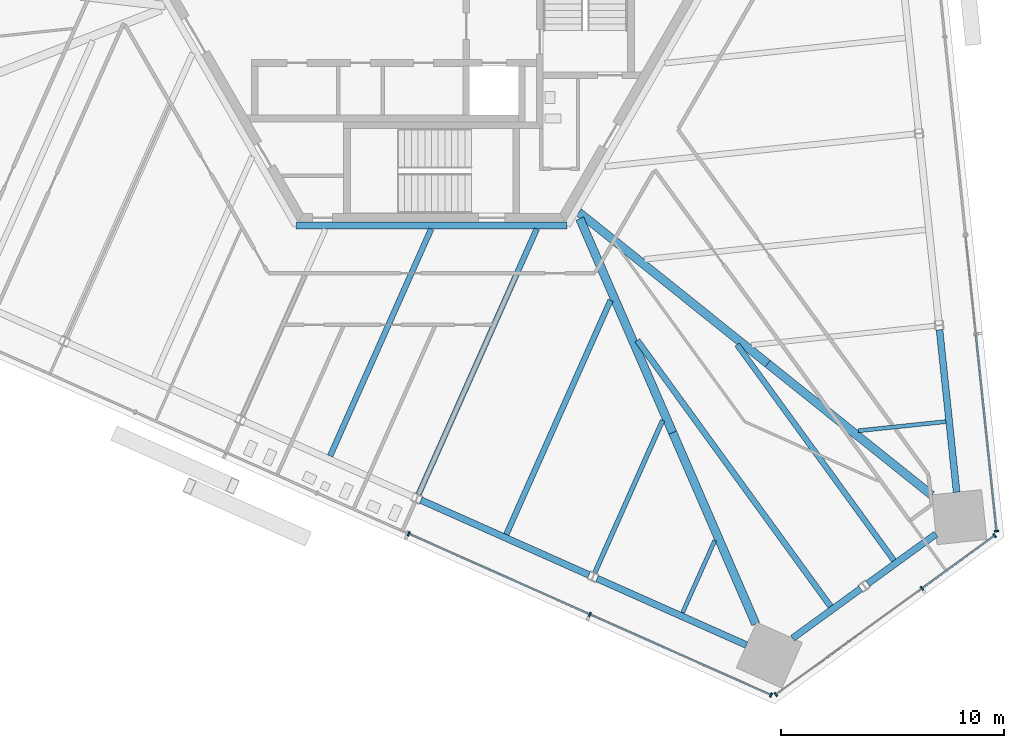
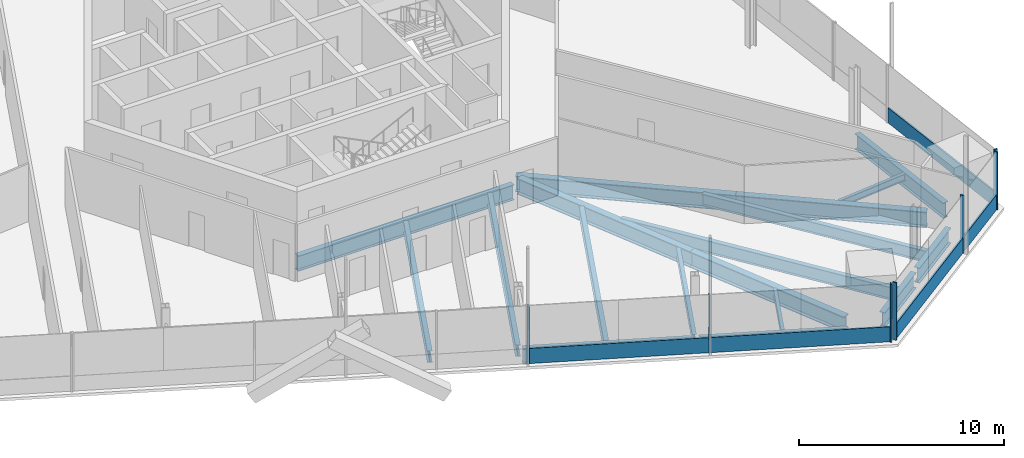
# One storey, part 5 of 21: 18 beams, 12 members, 3 elements without a shape of their own.
"""IFC4 building model written with IfcOpenShell, lengths in metres."""

from ifc_helpers import new_model, si_unit, direction, frame, origin, origin_2d, place, context, subcontext, project, spatial, rectangle, i_section, extrude, source, transform, mapped, material, material_profile, profile_set, type_object, element, aggregate, save


model = new_model("IFC4")

# Units and contexts
model_context = context("Model", 3, precision=1e-05, world=origin(), true_north=direction((0.0, 1.0)))
body_context = subcontext(model_context, "Body", "Model", "MODEL_VIEW")
ifc_project = project(units=[si_unit("LENGTHUNIT", "METRE"), si_unit("AREAUNIT", "SQUARE_METRE"), si_unit("VOLUMEUNIT", "CUBIC_METRE"), si_unit("PLANEANGLEUNIT", "RADIAN"), si_unit("MASSUNIT", "GRAM", prefix="KILO")], contexts=[model_context])

# Site, building, storey
site_placement = place(None, origin())
site = spatial("IfcSite", under=ifc_project, at=site_placement, CompositionType="ELEMENT")
building_placement = place(site_placement, origin())
building = spatial("IfcBuilding", under=site, at=building_placement, Name="Triune Harvest Tower", CompositionType="ELEMENT")
storey_placement = place(building_placement, frame((0.0, 0.0, 72.89990234375)))
storey = spatial("IfcBuildingStorey", under=building, at=storey_placement, Name="L17", CompositionType="ELEMENT", Elevation=72.89990234375)

# Beams
ifc_material_1 = material(Name="Steel ASTM A992 Gr 50", Category="steel")
ifc_material_profile_1 = material_profile(ifc_material_1, i_section(OverallWidth=0.3046875, OverallDepth=0.914306640625, WebThickness=0.0166015625, FlangeThickness=0.02587890625, at=origin_2d()), Name="W36x160")
ifc_profile_set_1 = profile_set([ifc_material_profile_1], Name="Steel ASTM A992 Gr 50")
beam_type_1 = type_object("IfcBeamType", Name="CG-1 Core ring girder W36x160", PredefinedType="BEAM", material=ifc_profile_set_1)
shared_shape_1 = source(origin(), body_context, "Body", "SweptSolid", [
    extrude(i_section(OverallWidth=0.3046875, OverallDepth=0.914306640625, WebThickness=0.0166015625, FlangeThickness=0.02587890625, at=origin_2d()), origin(), (0.0, 0.0, 1.0), 12.17578125),
])
beam_1_placement = place(storey_placement, frame((-6.087890625, -10.544677734375, -0.6171875), z_axis=(1.0, 0.0, 0.0), x_axis=(0.0, 1.0, 0.0)))
element("IfcBeam", 1, at=beam_1_placement, inside=storey, type_object=beam_type_1, Name="beam/L17/CG5", PredefinedType="BEAM", context=body_context, shape_type="MappedRepresentation", body=[
    mapped(shared_shape_1, transform((0.0, 0.0, 0.0), scale=1.0)),
])
ifc_material_2 = material(Name="Steel ASTM A992 Gr 50", Category="steel")
ifc_material_profile_2 = material_profile(ifc_material_2, i_section(OverallWidth=0.383544921875, OverallDepth=0.9423828125, WebThickness=0.022216796875, FlangeThickness=0.039794921875, at=origin_2d()), Name="W36x232")
ifc_profile_set_2 = profile_set([ifc_material_profile_2], Name="Steel ASTM A992 Gr 50")
beam_type_2 = type_object("IfcBeamType", Name="HG-1 Hip girder W36x232", PredefinedType="BEAM", material=ifc_profile_set_2)
shared_shape_2 = source(origin(), body_context, "Body", "SweptSolid", [
    extrude(i_section(OverallWidth=0.383544921875, OverallDepth=0.9423828125, WebThickness=0.022216796875, FlangeThickness=0.039794921875, at=origin_2d()), origin(), (0.0, 0.0, 1.0), 10.8701171875),
])
beam_2_placement = place(storey_placement, frame((15.0908203125, -16.745849609375, -0.631103515625), z_axis=(-0.780344837212, 0.625349450337, 0.0), x_axis=(-0.625349450337, -0.780344837212, 0.0)))
element("IfcBeam", 2, at=beam_2_placement, inside=storey, type_object=beam_type_2, Name="beam/L17/HG2", PredefinedType="BEAM", context=body_context, shape_type="MappedRepresentation", body=[
    mapped(shared_shape_2, transform((0.0, 0.0, 0.0), scale=1.0)),
])
shared_shape_3 = source(origin(), body_context, "Body", "SweptSolid", [
    extrude(i_section(OverallWidth=0.383544921875, OverallDepth=0.9423828125, WebThickness=0.022216796875, FlangeThickness=0.039794921875, at=origin_2d()), origin(), (0.0, 0.0, 1.0), 10.48291015625),
])
beam_3_placement = place(storey_placement, frame((10.824462890625, -19.84521484375, -0.631103515625), z_axis=(-0.39806686292, 0.917356404374, 0.0), x_axis=(-0.917356404374, -0.39806686292, 0.0)))
element("IfcBeam", 3, at=beam_3_placement, inside=storey, type_object=beam_type_2, Name="beam/L17/HG8", PredefinedType="BEAM", context=body_context, shape_type="MappedRepresentation", body=[
    mapped(shared_shape_3, transform((0.0, 0.0, 0.0), scale=1.0)),
])
ifc_material_3 = material(Name="Steel ASTM A992 Gr 50", Category="steel")
ifc_material_profile_3 = material_profile(ifc_material_3, i_section(OverallWidth=0.3046875, OverallDepth=0.914306640625, WebThickness=0.0166015625, FlangeThickness=0.02587890625, at=origin_2d()), Name="W36x160")
ifc_profile_set_3 = profile_set([ifc_material_profile_3], Name="Steel ASTM A992 Gr 50")
beam_type_3 = type_object("IfcBeamType", Name="SB-1 Spandrel beam W36x160", PredefinedType="SPANDREL", material=ifc_profile_set_3)
shared_shape_4 = source(origin(), body_context, "Body", "SweptSolid", [
    extrude(i_section(OverallWidth=0.3046875, OverallDepth=0.914306640625, WebThickness=0.0166015625, FlangeThickness=0.02587890625, at=origin_2d()), origin(), (0.0, 0.0, 1.0), 7.337890625),
])
for number, where, z_axis, x_axis, name in (
    (4, (23.57568359375, -22.520751953125, -0.6171875), (-0.104539300002, 0.994520756322, 0.0), (-0.994520756322, -0.104539300002, 0.0), "beam/L17/SB1"),
    (5, (7.4296875, -26.396484375, -0.6171875), (0.913546560881, -0.406734165153, 0.0), (0.406734165153, 0.913546560881, 0.0), "beam/L17/SB22"),
):
    element("IfcBeam", number, at=place(storey_placement, frame(where, z_axis=z_axis, x_axis=x_axis)), inside=storey, type_object=beam_type_3, Name=name, PredefinedType="SPANDREL", context=body_context, shape_type="MappedRepresentation", body=[
        mapped(shared_shape_4, transform((0.0, 0.0, 0.0), scale=1.0)),
    ])
shared_shape_5 = source(origin(), body_context, "Body", "SweptSolid", [
    extrude(i_section(OverallWidth=0.3046875, OverallDepth=0.914306640625, WebThickness=0.0166015625, FlangeThickness=0.02587890625, at=origin_2d()), origin(), (0.0, 0.0, 1.0), 8.263427734375),
])
beam_4_placement = place(storey_placement, frame((-0.483642578125, -22.873291015625, -0.6171875), z_axis=(0.913544537455, -0.406738709846, 0.0), x_axis=(0.406738709846, 0.913544537455, 0.0)))
element("IfcBeam", 6, at=beam_4_placement, inside=storey, type_object=beam_type_3, Name="beam/L17/SB21", PredefinedType="SPANDREL", context=body_context, shape_type="MappedRepresentation", body=[
    mapped(shared_shape_5, transform((0.0, 0.0, 0.0), scale=1.0)),
])
shared_shape_6 = source(origin(), body_context, "Body", "SweptSolid", [
    extrude(i_section(OverallWidth=0.3046875, OverallDepth=0.914306640625, WebThickness=0.0166015625, FlangeThickness=0.02587890625, at=origin_2d()), origin(), (0.0, 0.0, 1.0), 3.77490234375),
])
for number, where, z_axis, x_axis, name in (
    (7, (16.2119140625, -29.0751953125, -0.6171875), (0.809026850732, 0.587771685942, 0.0), (-0.587771685942, 0.809026850732, 0.0), "beam/L17/SB23"),
    (8, (19.58837890625, -26.6220703125, -0.6171875), (0.809026850732, 0.587771685942, 0.0), (-0.587771685942, 0.809026850732, 0.0), "beam/L17/SB24"),
):
    element("IfcBeam", number, at=place(storey_placement, frame(where, z_axis=z_axis, x_axis=x_axis)), inside=storey, type_object=beam_type_3, Name=name, PredefinedType="SPANDREL", context=body_context, shape_type="MappedRepresentation", body=[
        mapped(shared_shape_6, transform((0.0, 0.0, 0.0), scale=1.0)),
    ])
shared_shape_7 = source(origin(), body_context, "Body", "SweptSolid", [
    extrude(i_section(OverallWidth=0.383544921875, OverallDepth=0.9423828125, WebThickness=0.022216796875, FlangeThickness=0.039794921875, at=origin_2d()), origin(), (0.0, 0.0, 1.0), 9.44091796875),
])
beam_5_placement = place(storey_placement, frame((22.4580078125, -22.649658203125, -0.631103515625), z_axis=(-0.780348817967, 0.625344482903, 0.0), x_axis=(-0.625344482903, -0.780348817967, 0.0)))
element("IfcBeam", 9, at=beam_5_placement, inside=storey, type_object=beam_type_2, Name="beam/L17/HG1", PredefinedType="BEAM", context=body_context, shape_type="MappedRepresentation", body=[
    mapped(shared_shape_7, transform((0.0, 0.0, 0.0), scale=1.0)),
])
shared_shape_8 = source(origin(), body_context, "Body", "SweptSolid", [
    extrude(i_section(OverallWidth=0.383544921875, OverallDepth=0.9423828125, WebThickness=0.022216796875, FlangeThickness=0.039794921875, at=origin_2d()), origin(), (0.0, 0.0, 1.0), 9.366943359375),
])
beam_6_placement = place(storey_placement, frame((14.552978515625, -28.43798828125, -0.631103515625), z_axis=(-0.398055044024, 0.917361532836, 0.0), x_axis=(-0.917361532836, -0.398055044024, 0.0)))
element("IfcBeam", 10, at=beam_6_placement, inside=storey, type_object=beam_type_2, Name="beam/L17/HG7", PredefinedType="BEAM", context=body_context, shape_type="MappedRepresentation", body=[
    mapped(shared_shape_8, transform((0.0, 0.0, 0.0), scale=1.0)),
])
ifc_material_4 = material(Name="Steel ASTM A992 Gr 50", Category="steel")
ifc_material_profile_4 = material_profile(ifc_material_4, i_section(OverallWidth=0.180908203125, OverallDepth=0.41650390625, WebThickness=0.010986328125, FlangeThickness=0.01806640625, at=origin_2d()), Name="W16x57")
ifc_profile_set_4 = profile_set([ifc_material_profile_4], Name="Steel ASTM A992 Gr 50")
beam_type_4 = type_object("IfcBeamType", Name="JT-1 Floor joist W16x57", PredefinedType="JOIST", material=ifc_profile_set_4)
shared_shape_9 = source(origin(), body_context, "Body", "SweptSolid", [
    extrude(i_section(OverallWidth=0.180908203125, OverallDepth=0.41650390625, WebThickness=0.010986328125, FlangeThickness=0.01806640625, at=origin_2d()), origin(), (0.0, 0.0, 1.0), 3.95068359375),
])
beam_7_placement = place(storey_placement, frame((23.089111328125, -19.34814453125, -0.3681640625), z_axis=(-0.994524737495, -0.104501418698, 0.0), x_axis=(0.104501418698, -0.994524737495, 0.0)))
element("IfcBeam", 11, at=beam_7_placement, inside=storey, type_object=beam_type_4, Name="beam/L17/JT1", PredefinedType="JOIST", context=body_context, shape_type="MappedRepresentation", body=[
    mapped(shared_shape_9, transform((0.0, 0.0, 0.0), scale=1.0)),
])
ifc_material_5 = material(Name="Steel ASTM A992 Gr 50", Category="steel")
ifc_material_profile_5 = material_profile(ifc_material_5, i_section(OverallWidth=0.253662109375, OverallDepth=0.683349609375, WebThickness=0.012451171875, FlangeThickness=0.01904296875, at=origin_2d()), Name="W27x94")
ifc_profile_set_5 = profile_set([ifc_material_profile_5], Name="Steel ASTM A992 Gr 50")
beam_type_5 = type_object("IfcBeamType", Name="JT-4 Floor joist W27x94", PredefinedType="JOIST", material=ifc_profile_set_5)
shared_shape_10 = source(origin(), body_context, "Body", "SweptSolid", [
    extrude(i_section(OverallWidth=0.253662109375, OverallDepth=0.683349609375, WebThickness=0.012451171875, FlangeThickness=0.01904296875, at=origin_2d()), origin(), (0.0, 0.0, 1.0), 11.51123046875),
])
beam_8_placement = place(storey_placement, frame((3.352783203125, -24.414794921875, -0.50146484375), z_axis=(0.406740530162, 0.91354372699, 0.0), x_axis=(-0.91354372699, 0.406740530162, 0.0)))
element("IfcBeam", 12, at=beam_8_placement, inside=storey, type_object=beam_type_5, Name="beam/L17/JT35", PredefinedType="JOIST", context=body_context, shape_type="MappedRepresentation", body=[
    mapped(shared_shape_10, transform((0.0, 0.0, 0.0), scale=1.0)),
])
shared_shape_11 = source(origin(), body_context, "Body", "SweptSolid", [
    extrude(i_section(OverallWidth=0.180908203125, OverallDepth=0.41650390625, WebThickness=0.010986328125, FlangeThickness=0.01806640625, at=origin_2d()), origin(), (0.0, 0.0, 1.0), 3.562255859375),
])
beam_9_placement = place(storey_placement, frame((11.26611328125, -27.93798828125, -0.3681640625), z_axis=(0.406767922158, 0.913531530656, 0.0), x_axis=(-0.913531530656, 0.406767922158, 0.0)))
element("IfcBeam", 13, at=beam_9_placement, inside=storey, type_object=beam_type_4, Name="beam/L17/JT37", PredefinedType="JOIST", context=body_context, shape_type="MappedRepresentation", body=[
    mapped(shared_shape_11, transform((0.0, 0.0, 0.0), scale=1.0)),
])
ifc_material_6 = material(Name="Steel ASTM A992 Gr 50", Category="steel")
ifc_material_profile_6 = material_profile(ifc_material_6, i_section(OverallWidth=0.2666015625, OverallDepth=0.7568359375, WebThickness=0.013916015625, FlangeThickness=0.019287109375, at=origin_2d()), Name="W30x108")
ifc_profile_set_6 = profile_set([ifc_material_profile_6], Name="Steel ASTM A992 Gr 50")
beam_type_6 = type_object("IfcBeamType", Name="JT-5 Floor joist W30x108", PredefinedType="JOIST", material=ifc_profile_set_6)
shared_shape_12 = source(origin(), body_context, "Body", "SweptSolid", [
    extrude(i_section(OverallWidth=0.2666015625, OverallDepth=0.7568359375, WebThickness=0.013916015625, FlangeThickness=0.019287109375, at=origin_2d()), origin(), (0.0, 0.0, 1.0), 14.766357421875),
])
beam_10_placement = place(storey_placement, frame((17.915283203125, -27.649169921875, -0.538330078125), z_axis=(-0.587783315485, 0.809018401544, 0.0), x_axis=(-0.809018401544, -0.587783315485, 0.0)))
element("IfcBeam", 14, at=beam_10_placement, inside=storey, type_object=beam_type_6, Name="beam/L17/JT38", PredefinedType="JOIST", context=body_context, shape_type="MappedRepresentation", body=[
    mapped(shared_shape_12, transform((0.0, 0.0, 0.0), scale=1.0)),
])
ifc_material_7 = material(Name="Steel ASTM A992 Gr 50", Category="steel")
ifc_material_profile_7 = material_profile(ifc_material_7, i_section(OverallWidth=0.2099609375, OverallDepth=0.535888671875, WebThickness=0.010986328125, FlangeThickness=0.017333984375, at=origin_2d()), Name="W21x68")
ifc_profile_set_7 = profile_set([ifc_material_profile_7], Name="Steel ASTM A992 Gr 50")
beam_type_7 = type_object("IfcBeamType", Name="JT-2 Floor joist W21x68", PredefinedType="JOIST", material=ifc_profile_set_7)
shared_shape_13 = source(origin(), body_context, "Body", "SweptSolid", [
    extrude(i_section(OverallWidth=0.2099609375, OverallDepth=0.535888671875, WebThickness=0.010986328125, FlangeThickness=0.017333984375, at=origin_2d()), origin(), (0.0, 0.0, 1.0), 7.4921875),
])
beam_11_placement = place(storey_placement, frame((7.32763671875, -26.1357421875, -0.427978515625), z_axis=(0.406737018568, 0.913545290463, 0.0), x_axis=(-0.913545290463, 0.406737018568, 0.0)))
element("IfcBeam", 15, at=beam_11_placement, inside=storey, type_object=beam_type_7, Name="beam/L17/JT36", PredefinedType="JOIST", context=body_context, shape_type="MappedRepresentation", body=[
    mapped(shared_shape_13, transform((0.0, 0.0, 0.0), scale=1.0)),
])
shared_shape_14 = source(origin(), body_context, "Body", "SweptSolid", [
    extrude(i_section(OverallWidth=0.253662109375, OverallDepth=0.683349609375, WebThickness=0.012451171875, FlangeThickness=0.01904296875, at=origin_2d()), origin(), (0.0, 0.0, 1.0), 11.159423828125),
])
beam_12_placement = place(storey_placement, frame((-4.560546875, -20.8916015625, -0.50146484375), z_axis=(0.406747338499, 0.913540695659, 0.0), x_axis=(-0.913540695659, 0.406747338499, 0.0)))
element("IfcBeam", 16, at=beam_12_placement, inside=storey, type_object=beam_type_5, Name="beam/L17/JT33", PredefinedType="JOIST", context=body_context, shape_type="MappedRepresentation", body=[
    mapped(shared_shape_14, transform((0.0, 0.0, 0.0), scale=1.0)),
])
shared_shape_15 = source(origin(), body_context, "Body", "SweptSolid", [
    extrude(i_section(OverallWidth=0.253662109375, OverallDepth=0.683349609375, WebThickness=0.012451171875, FlangeThickness=0.01904296875, at=origin_2d()), origin(), (0.0, 0.0, 1.0), 13.043212890625),
])
beam_13_placement = place(storey_placement, frame((-0.585693359375, -22.612548828125, -0.50146484375), z_axis=(0.40673927971, 0.913544283733, 0.0), x_axis=(-0.913544283733, 0.40673927971, 0.0)))
element("IfcBeam", 17, at=beam_13_placement, inside=storey, type_object=beam_type_5, Name="beam/L17/JT34", PredefinedType="JOIST", context=body_context, shape_type="MappedRepresentation", body=[
    mapped(shared_shape_15, transform((0.0, 0.0, 0.0), scale=1.0)),
])
shared_shape_16 = source(origin(), body_context, "Body", "SweptSolid", [
    extrude(i_section(OverallWidth=0.253662109375, OverallDepth=0.683349609375, WebThickness=0.012451171875, FlangeThickness=0.01904296875, at=origin_2d()), origin(), (0.0, 0.0, 1.0), 11.97802734375),
])
beam_14_placement = place(storey_placement, frame((20.759521484375, -25.582763671875, -0.50146484375), z_axis=(-0.587786239195, 0.809016277347, 0.0), x_axis=(-0.809016277347, -0.587786239195, 0.0)))
element("IfcBeam", 18, at=beam_14_placement, inside=storey, type_object=beam_type_5, Name="beam/L17/JT39", PredefinedType="JOIST", context=body_context, shape_type="MappedRepresentation", body=[
    mapped(shared_shape_16, transform((0.0, 0.0, 0.0), scale=1.0)),
])

# Curtain wall, members
ifc_material_8 = material(Name="Aluminium bronze anodised", Category="aluminium")
curtain_wall_type = type_object("IfcCurtainWallType", Name="CW-1 Tower stick curtain wall", PredefinedType="NOTDEFINED", material=ifc_material_8)
curtain_wall_1_placement = place(storey_placement, origin())
curtain_wall_1 = element("IfcCurtainWall", 19, at=curtain_wall_1_placement, inside=storey, type_object=curtain_wall_type, Name="CW-1 B2-F6 L17 run 1")
ifc_material_9 = material(Name="Aluminium bronze anodised", Category="aluminium")
ifc_material_profile_8 = material_profile(ifc_material_9, rectangle(XDim=0.090087890625, YDim=0.89990234375, at=origin_2d()), Name="TR-1 transom 90 x 900")
ifc_profile_set_8 = profile_set([ifc_material_profile_8], Name="Aluminium bronze anodised")
member_type_1 = type_object("IfcMemberType", Name="TR-1 transom 90 x 900", PredefinedType="USERDEFINED", material=ifc_profile_set_8)
shared_shape_17 = source(origin(), body_context, "Body", "SweptSolid", [
    extrude(rectangle(XDim=0.090087890625, YDim=0.89990234375, at=origin_2d()), origin(), (0.0, 0.0, 1.0), 8.0341796875),
])
member_1_placement = place(storey_placement, frame((15.48828125, -31.585205078125, 0.4501953125), z_axis=(0.809013262196, 0.587790389162, 0.0), x_axis=(-0.587790389162, 0.809013262196, 0.0)))
member_1 = element("IfcMember", 20, at=member_1_placement, type_object=member_type_1, Name="CW-1 transom B2-F6 1.1", ObjectType="TRANSOM", PredefinedType="USERDEFINED", context=body_context, shape_type="MappedRepresentation", body=[
    mapped(shared_shape_17, transform((0.0, 0.0, 0.0), scale=1.0)),
])
shared_shape_18 = source(origin(), body_context, "Body", "SweptSolid", [
    extrude(rectangle(XDim=0.090087890625, YDim=0.89990234375, at=origin_2d()), origin(), (0.0, 0.0, 1.0), 3.9609375),
])
member_2_placement = place(storey_placement, frame((22.048583984375, -26.818603515625, 0.4501953125), z_axis=(0.809034498415, 0.587761159294, 0.0), x_axis=(-0.587761159294, 0.809034498415, 0.0)))
member_2 = element("IfcMember", 21, at=member_2_placement, type_object=member_type_1, Name="CW-1 transom B2-F6 1.2", ObjectType="TRANSOM", PredefinedType="USERDEFINED", context=body_context, shape_type="MappedRepresentation", body=[
    mapped(shared_shape_18, transform((0.0, 0.0, 0.0), scale=1.0)),
])

# Curtain wall, member
curtain_wall_2_placement = place(storey_placement, origin())
curtain_wall_2 = element("IfcCurtainWall", 22, at=curtain_wall_2_placement, inside=storey, type_object=curtain_wall_type, Name="CW-1 B2-F5 L17 run 2001")
shared_shape_19 = source(origin(), body_context, "Body", "SweptSolid", [
    extrude(rectangle(XDim=0.090087890625, YDim=0.89990234375, at=origin_2d()), origin(), (0.0, 0.0, 1.0), 8.828369140625),
])
member_3_placement = place(storey_placement, frame((7.138671875, -28.024169921875, 0.4501953125), z_axis=(0.91354678953, -0.406733651594, 0.0), x_axis=(0.406733651594, 0.91354678953, 0.0)))
member_3 = element("IfcMember", 23, at=member_3_placement, type_object=member_type_1, Name="CW-1 transom B2-F5 2001.2", ObjectType="TRANSOM", PredefinedType="USERDEFINED", context=body_context, shape_type="MappedRepresentation", body=[
    mapped(shared_shape_19, transform((0.0, 0.0, 0.0), scale=1.0)),
])

curtain_wall_3_placement = place(storey_placement, origin())
curtain_wall_3 = element("IfcCurtainWall", 24, at=curtain_wall_3_placement, inside=storey, type_object=curtain_wall_type, Name="CW-1 B2-F1 L17 run 1")
shared_shape_20 = source(origin(), body_context, "Body", "SweptSolid", [
    extrude(rectangle(XDim=0.090087890625, YDim=0.89990234375, at=origin_2d()), origin(), (0.0, 0.0, 1.0), 8.828857421875),
])
member_4_placement = place(storey_placement, frame((25.369384765625, -24.2294921875, 0.4501953125), z_axis=(-0.104526444227, 0.994522107576, 0.0), x_axis=(-0.994522107576, -0.104526444227, 0.0)))
member_4 = element("IfcMember", 25, at=member_4_placement, type_object=member_type_1, Name="CW-1 transom B2-F1 1.1", ObjectType="TRANSOM", PredefinedType="USERDEFINED", context=body_context, shape_type="MappedRepresentation", body=[
    mapped(shared_shape_20, transform((0.0, 0.0, 0.0), scale=1.0)),
])

# Member
member_5_placement = place(storey_placement, frame((-0.995361328125, -24.402587890625, 0.4501953125), z_axis=(0.913541089129, -0.406746454776, 0.0), x_axis=(0.406746454776, 0.913541089129, 0.0)))
member_5 = element("IfcMember", 26, at=member_5_placement, type_object=member_type_1, Name="CW-1 transom B2-F5 2001.1", ObjectType="TRANSOM", PredefinedType="USERDEFINED", context=body_context, shape_type="MappedRepresentation", body=[
    mapped(shared_shape_20, transform((0.0, 0.0, 0.0), scale=1.0)),
])

ifc_material_10 = material(Name="Aluminium bronze anodised", Category="aluminium")
ifc_material_profile_9 = material_profile(ifc_material_10, rectangle(XDim=0.199951171875, YDim=0.074951171875, at=origin_2d()), Name="MU-1 mullion 75 x 200")
ifc_profile_set_9 = profile_set([ifc_material_profile_9], Name="Aluminium bronze anodised")
member_type_2 = type_object("IfcMemberType", Name="MU-1 mullion 75 x 200", PredefinedType="MULLION", material=ifc_profile_set_9)
shared_shape_21 = source(origin(), body_context, "Body", "SweptSolid", [
    extrude(rectangle(XDim=0.199951171875, YDim=0.074951171875, at=origin_2d()), origin(), (0.0, 0.0, 1.0), 3.440185546875),
])
member_6_placement = place(storey_placement, frame((25.373291015625, -24.2666015625, 0.0), z_axis=(0.0, 0.0, 1.0), x_axis=(-0.994522039273, -0.104527094094, 0.0)))
member_6 = element("IfcMember", 27, at=member_6_placement, type_object=member_type_2, Name="CW-1 mullion B2-F1 1.1", PredefinedType="MULLION", context=body_context, shape_type="MappedRepresentation", body=[
    mapped(shared_shape_21, transform((0.0, 0.0, 0.0), scale=1.0)),
])

aggregate(curtain_wall_3, [member_6, member_4])

member_7_placement = place(storey_placement, frame((-1.029541015625, -24.387451171875, 0.0), z_axis=(0.0, 0.0, 1.0), x_axis=(0.406737239029, 0.913545192307, 0.0)))
member_7 = element("IfcMember", 28, at=member_7_placement, type_object=member_type_2, Name="CW-1 mullion B2-F5 2001.1", PredefinedType="MULLION", context=body_context, shape_type="MappedRepresentation", body=[
    mapped(shared_shape_21, transform((0.0, 0.0, 0.0), scale=1.0)),
])

member_8_placement = place(storey_placement, frame((7.104248046875, -28.0087890625, 0.0), z_axis=(0.0, 0.0, 1.0), x_axis=(0.406737239029, 0.913545192307, 0.0)))
member_8 = element("IfcMember", 29, at=member_8_placement, type_object=member_type_2, Name="CW-1 mullion B2-F5 2001.3", PredefinedType="MULLION", context=body_context, shape_type="MappedRepresentation", body=[
    mapped(shared_shape_21, transform((0.0, 0.0, 0.0), scale=1.0)),
])

member_9_placement = place(storey_placement, frame((15.23828125, -31.63037109375, 0.0), z_axis=(0.0, 0.0, 1.0), x_axis=(0.406737239029, 0.913545192307, 0.0)))
member_9 = element("IfcMember", 30, at=member_9_placement, type_object=member_type_2, Name="CW-1 mullion B2-F5 2001.5", PredefinedType="MULLION", context=body_context, shape_type="MappedRepresentation", body=[
    mapped(shared_shape_21, transform((0.0, 0.0, 0.0), scale=1.0)),
])

aggregate(curtain_wall_2, [member_7, member_8, member_9, member_5, member_3])

member_10_placement = place(storey_placement, frame((15.457763671875, -31.607177734375, 0.0), z_axis=(0.0, 0.0, 1.0), x_axis=(-0.58779042564, 0.809013235692, 0.0)))
member_10 = element("IfcMember", 31, at=member_10_placement, type_object=member_type_2, Name="CW-1 mullion B2-F6 1.1", PredefinedType="MULLION", context=body_context, shape_type="MappedRepresentation", body=[
    mapped(shared_shape_21, transform((0.0, 0.0, 0.0), scale=1.0)),
])

member_11_placement = place(storey_placement, frame((22.018310546875, -26.8408203125, 0.0), z_axis=(0.0, 0.0, 1.0), x_axis=(-0.58779042564, 0.809013235692, 0.0)))
member_11 = element("IfcMember", 32, at=member_11_placement, type_object=member_type_2, Name="CW-1 mullion B2-F6 1.3", PredefinedType="MULLION", context=body_context, shape_type="MappedRepresentation", body=[
    mapped(shared_shape_21, transform((0.0, 0.0, 0.0), scale=1.0)),
])

member_12_placement = place(storey_placement, frame((25.283447265625, -24.468505859375, 0.0), z_axis=(0.0, 0.0, 1.0), x_axis=(-0.58779042564, 0.809013235692, 0.0)))
member_12 = element("IfcMember", 33, at=member_12_placement, type_object=member_type_2, Name="CW-1 mullion B2-F6 1.4", PredefinedType="MULLION", context=body_context, shape_type="MappedRepresentation", body=[
    mapped(shared_shape_21, transform((0.0, 0.0, 0.0), scale=1.0)),
])

aggregate(curtain_wall_1, [member_10, member_11, member_12, member_1, member_2])

save(model, "model.ifc")
